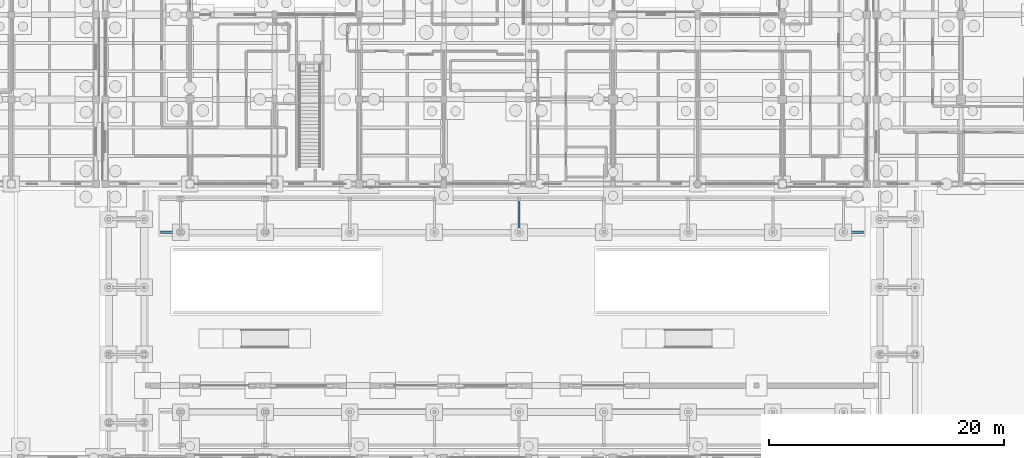
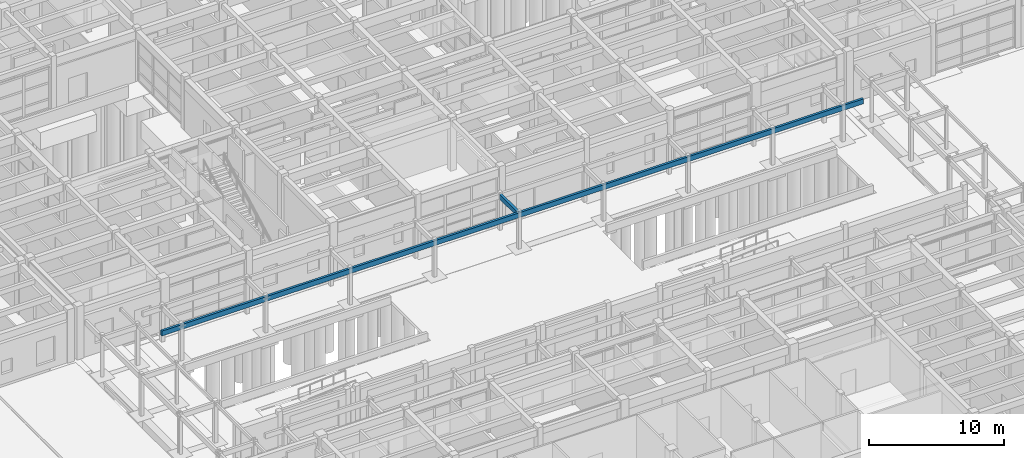
# One storey, part 50 of 143: 2 beams.
"""IFC4 building model written with IfcOpenShell, lengths in metres."""

from ifc_helpers import new_model, si_unit, direction, frame, origin, origin_2d, place, context, subcontext, project, spatial, rectangle, extrude, material, material_profile, profile_set, type_object, element, save


model = new_model("IFC4")

# Units and contexts
model_context = context("Model", 3, precision=1e-05, world=origin(), true_north=direction((0.0, 1.0)))
body_context = subcontext(model_context, "Body", "Model", "MODEL_VIEW")
ifc_project = project(units=[si_unit("LENGTHUNIT", "METRE"), si_unit("AREAUNIT", "SQUARE_METRE"), si_unit("VOLUMEUNIT", "CUBIC_METRE"), si_unit("PLANEANGLEUNIT", "RADIAN"), si_unit("MASSUNIT", "GRAM", prefix="KILO")], contexts=[model_context])

# Site, building, storey
site_placement = place(None, origin())
site = spatial("IfcSite", under=ifc_project, at=site_placement, CompositionType="ELEMENT")
building_placement = place(site_placement, origin())
building = spatial("IfcBuilding", under=site, at=building_placement, Name="Steenspoor Specialist Clinic", CompositionType="ELEMENT")
storey_placement = place(building_placement, origin())
storey = spatial("IfcBuildingStorey", under=building, at=storey_placement, Name="L00", CompositionType="ELEMENT", Elevation=0.0)

# Beams
ifc_material = material(Name="Glulam GL28h", Category="wood")
ifc_material_profile = material_profile(ifc_material, rectangle(XDim=0.199951171875, YDim=0.43994140625, at=origin_2d()), Name="GL28H-200X440")
ifc_profile_set = profile_set([ifc_material_profile], Name="Glulam GL28h")
beam_type = type_object("IfcBeamType", Name="BM-GL-200X440", PredefinedType="BEAM", material=ifc_profile_set)
beam_1_placement = place(storey_placement, frame((57.10009765625, 61.050048828125, 3.014892578125), z_axis=(1.0, 0.0, 0.0), x_axis=(0.0, 1.0, 0.0)))
element("IfcBeam", 1, at=beam_1_placement, inside=storey, type_object=beam_type, Name="BM-WK4-CONT-0", PredefinedType="BEAM", context=body_context, shape_type="SweptSolid", body=[
    extrude(rectangle(XDim=0.199951171875, YDim=0.43994140625, at=origin_2d()), origin(), (0.0, 0.0, 1.0), 59.7998046875),
])
beam_2_placement = place(storey_placement, frame((87.60009765625, 61.1298828125, 3.014892578125), z_axis=(0.0, 1.0, 0.0), x_axis=(-1.0, 0.0, 0.0)))
element("IfcBeam", 2, at=beam_2_placement, inside=storey, type_object=beam_type, Name="BM-WK4-T-876", PredefinedType="BEAM", context=body_context, shape_type="SweptSolid", body=[
    extrude(rectangle(XDim=0.199951171875, YDim=0.43994140625, at=origin_2d()), origin(), (0.0, 0.0, 1.0), 2.64013671875),
])

save(model, "model.ifc")
